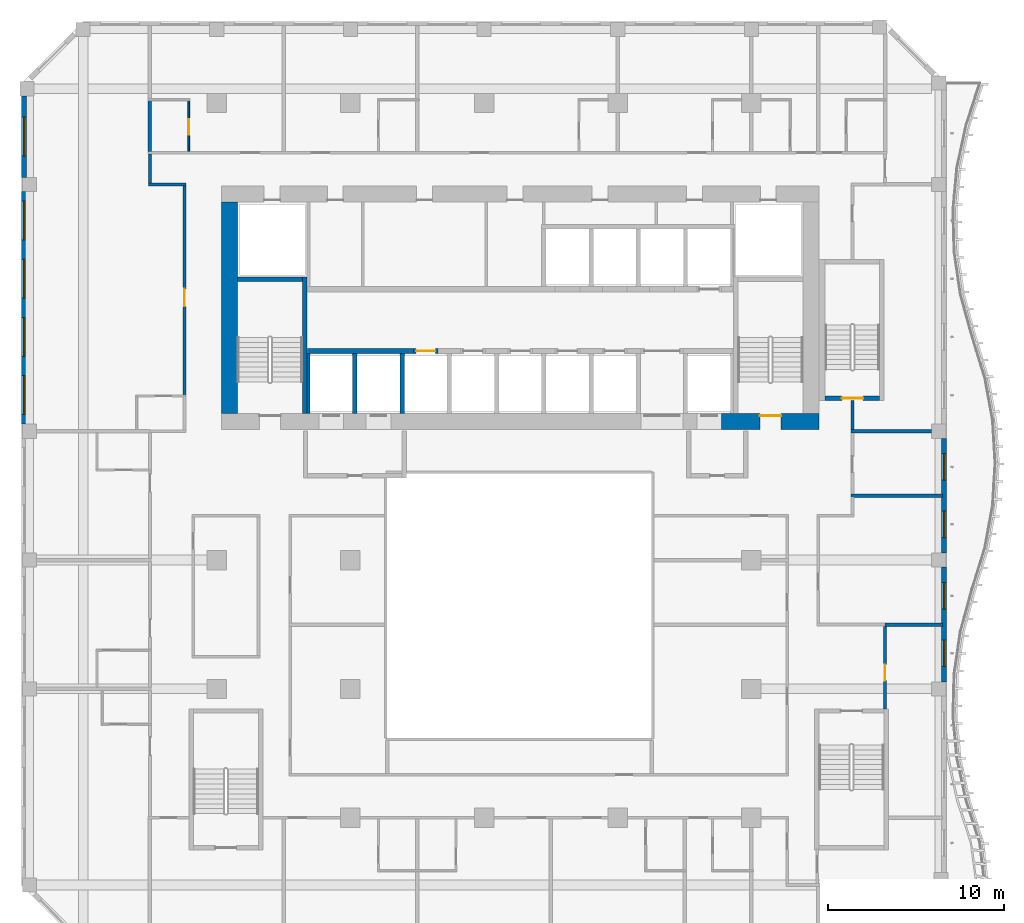
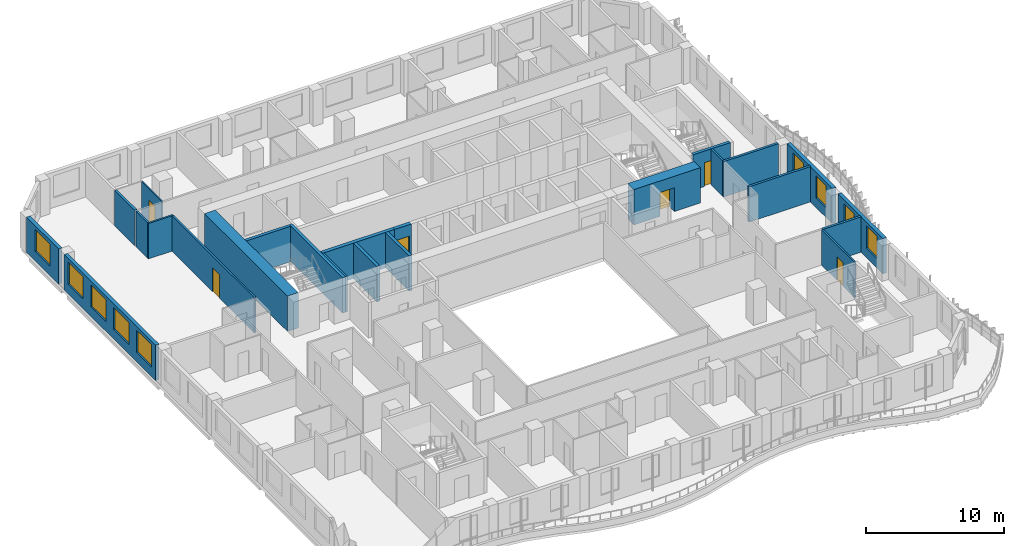
# One storey, part 6 of 22: 24 walls, 9 windows, 6 doors, 15 openings.
"""IFC4 building model written with IfcOpenShell, lengths in metres."""

from ifc_helpers import new_model, si_unit, direction, frame, frame_2d, origin, place, context, subcontext, project, spatial, rectangle, extrude, source, transform, mapped, material, layer, layer_set, type_object, element, fill, save


model = new_model("IFC4")

# Units and contexts
model_context = context("Model", 3, precision=1e-05, world=origin(), true_north=direction((0.0, 1.0)))
body_context = subcontext(model_context, "Body", "Model", "MODEL_VIEW")
ifc_project = project(units=[si_unit("LENGTHUNIT", "METRE"), si_unit("AREAUNIT", "SQUARE_METRE"), si_unit("VOLUMEUNIT", "CUBIC_METRE"), si_unit("PLANEANGLEUNIT", "RADIAN"), si_unit("MASSUNIT", "GRAM", prefix="KILO")], contexts=[model_context])

# Site, building, storey
site_placement = place(None, origin())
site = spatial("IfcSite", under=ifc_project, at=site_placement, CompositionType="ELEMENT")
building_placement = place(site_placement, origin())
building = spatial("IfcBuilding", under=site, at=building_placement, Name="Kilnfold Tower and Market Hall", CompositionType="ELEMENT")
storey_placement = place(building_placement, frame((0.0, 0.0, 154.10009765625)))
storey = spatial("IfcBuildingStorey", under=building, at=storey_placement, Name="L35", CompositionType="ELEMENT", Elevation=154.10009765625)

# Wall, opening, door
ifc_material_1 = material(Name="Gypsum board on steel studs", Category="steel")
ifc_layer_1 = layer(ifc_material_1, 0.14990234375)
ifc_layer_set_1 = layer_set([ifc_layer_1], Name="Gypsum board on steel studs")
wall_type_1 = type_object("IfcWallType", Name="WALL CORRIDOR 150", PredefinedType="PARTITIONING", material=ifc_layer_set_1)
wall_1_placement = place(storey_placement, frame((-18.0, 10.0400390625, 0.0), z_axis=(0.0, 0.0, 1.0), x_axis=(0.0, 1.0, 0.0)))
wall_1 = element("IfcWall", 1, at=wall_1_placement, inside=storey, type_object=wall_type_1, Name="Partition LY23.16", PredefinedType="PARTITIONING", context=body_context, shape_type="SweptSolid", body=[
    extrude(rectangle(XDim=11.885009765625, YDim=0.14990234375, at=frame_2d((5.9423828125, 0.0))), origin(), (0.0, 0.0, 1.0), 3.119873046875),
])
opening_1_placement = place(wall_1_placement, frame((5.0390625, 0.0, 0.0)))
opening_1 = element("IfcOpeningElement", 2, at=opening_1_placement, cuts=wall_1, Name="Opening D1", PredefinedType="OPENING", context=body_context, shape_type="SweptSolid", body=[
    extrude(rectangle(XDim=1.0, YDim=2.10009765625, at=frame_2d((0.5, 1.050048828125))), frame((0.0, 0.0849609375, 0.0), z_axis=(0.0, -1.0, 0.0), x_axis=(1.0, 0.0, 0.0)), (0.0, 0.0, 1.0), 0.169921875),
])
ifc_material_2 = material(Name="Timber veneer door leaf in steel frame", Category="steel")
door_type_1 = type_object("IfcDoorType", Name="DOOR ENTRY 1000 X2100", OperationType="NOTDEFINED", PredefinedType="DOOR", material=ifc_material_2)
door_1_placement = place(opening_1_placement, origin())
door_1 = element("IfcDoor", 3, at=door_1_placement, inside=storey, type_object=door_type_1, Name="Door D1", OperationType="SINGLE_SWING_LEFT", OverallHeight=2.10009765625, OverallWidth=1.0, PredefinedType="DOOR", context=body_context, shape_type="SweptSolid", body=[
    extrude(rectangle(XDim=1.0, YDim=2.10009765625, at=frame_2d((0.5, 1.050048828125))), frame((0.0, 0.02490234375, 0.0), z_axis=(0.0, -1.0, 0.0), x_axis=(1.0, 0.0, 0.0)), (0.0, 0.0, 1.0), 0.050048828125),
])
fill(opening_1, door_1)

# Walls
wall_2_placement = place(storey_placement, frame((-20.033935546875, 22.0, 0.0), z_axis=(0.0, 0.0, 1.0), x_axis=(1.0, 0.0, 0.0)))
element("IfcWall", 4, at=wall_2_placement, inside=storey, type_object=wall_type_1, Name="Partition LY23.17", PredefinedType="PARTITIONING", context=body_context, shape_type="SweptSolid", body=[
    extrude(rectangle(XDim=2.10888671875, YDim=0.14990234375, at=frame_2d((1.054443359375, 0.0))), origin(), (0.0, 0.0, 1.0), 3.119873046875),
])
wall_3_placement = place(storey_placement, frame((-19.958984375, 22.074951171875, 0.0), z_axis=(0.0, 0.0, 1.0), x_axis=(0.0, 1.0, 0.0)))
element("IfcWall", 5, at=wall_3_placement, inside=storey, type_object=wall_type_1, Name="Partition LY23.18", PredefinedType="PARTITIONING", context=body_context, shape_type="SweptSolid", body=[
    extrude(rectangle(XDim=1.650146484375, YDim=0.14990234375, at=frame_2d((0.8251953125, 0.0))), origin(), (0.0, 0.0, 1.0), 3.119873046875),
])
wall_4_placement = place(storey_placement, frame((19.89990234375, 8.090087890625, 0.0), z_axis=(0.0, 0.0, 1.0), x_axis=(0.0, 1.0, 0.0)))
element("IfcWall", 6, at=wall_4_placement, inside=storey, type_object=wall_type_1, Name="Partition LY23.26", PredefinedType="PARTITIONING", context=body_context, shape_type="SweptSolid", body=[
    extrude(rectangle(XDim=1.659912109375, YDim=0.14990234375, at=frame_2d((0.830078125, 0.0))), origin(), (0.0, 0.0, 1.0), 3.119873046875),
])

# Wall, opening, door
wall_5_placement = place(storey_placement, frame((21.75, -7.75, 0.0), z_axis=(0.0, 0.0, 1.0), x_axis=(0.0, 1.0, 0.0)))
wall_5 = element("IfcWall", 7, at=wall_5_placement, inside=storey, type_object=wall_type_1, Name="Partition LY23.31", PredefinedType="PARTITIONING", context=body_context, shape_type="SweptSolid", body=[
    extrude(rectangle(XDim=4.681884765625, YDim=0.14990234375, at=frame_2d((2.3408203125, 0.0))), origin(), (0.0, 0.0, 1.0), 3.119873046875),
])
opening_2_placement = place(wall_5_placement, frame((1.60205078125, 0.0, 0.0)))
opening_2 = element("IfcOpeningElement", 8, at=opening_2_placement, cuts=wall_5, Name="Opening D2", PredefinedType="OPENING", context=body_context, shape_type="SweptSolid", body=[
    extrude(rectangle(XDim=0.89990234375, YDim=2.10009765625, at=frame_2d((0.449951171875, 1.050048828125))), frame((0.0, 0.0849609375, 0.0), z_axis=(0.0, -1.0, 0.0), x_axis=(1.0, 0.0, 0.0)), (0.0, 0.0, 1.0), 0.169921875),
])
ifc_material_3 = material(Name="Timber veneer door leaf in steel frame", Category="steel")
door_type_2 = type_object("IfcDoorType", Name="DOOR ROOM 900 X2100", OperationType="NOTDEFINED", PredefinedType="DOOR", material=ifc_material_3)
door_2_placement = place(opening_2_placement, origin())
door_2 = element("IfcDoor", 9, at=door_2_placement, inside=storey, type_object=door_type_2, Name="Door D2", OperationType="SINGLE_SWING_LEFT", OverallHeight=2.10009765625, OverallWidth=0.89990234375, PredefinedType="DOOR", context=body_context, shape_type="SweptSolid", body=[
    extrude(rectangle(XDim=0.89990234375, YDim=2.10009765625, at=frame_2d((0.449951171875, 1.050048828125))), frame((0.0, 0.02490234375, 0.0), z_axis=(0.0, -1.0, 0.0), x_axis=(1.0, 0.0, 0.0)), (0.0, 0.0, 1.0), 0.050048828125),
])
fill(opening_2, door_2)

ifc_material_4 = material(Name="Gypsum board on steel studs", Category="steel")
ifc_layer_2 = layer(ifc_material_4, 0.10009765625)
ifc_layer_set_2 = layer_set([ifc_layer_2], Name="Gypsum board on steel studs")
wall_type_2 = type_object("IfcWallType", Name="WALL PARTITION 100", PredefinedType="PARTITIONING", material=ifc_layer_set_2)
wall_6_placement = place(storey_placement, frame((-17.759033203125, 26.751953125, 0.0), z_axis=(0.0, 0.0, 1.0), x_axis=(0.0, -1.0, 0.0)))
wall_6 = element("IfcWall", 10, at=wall_6_placement, inside=storey, type_object=wall_type_2, Name="Partition LY23.75", PredefinedType="PARTITIONING", context=body_context, shape_type="SweptSolid", body=[
    extrude(rectangle(XDim=2.875, YDim=0.10009765625, at=frame_2d((1.4375, 0.0))), origin(), (0.0, 0.0, 1.0), 3.119873046875),
])
opening_3_placement = place(wall_6_placement, frame((1.0400390625, 0.0, 0.0)))
opening_3 = element("IfcOpeningElement", 11, at=opening_3_placement, cuts=wall_6, Name="Opening D3", PredefinedType="OPENING", context=body_context, shape_type="SweptSolid", body=[
    extrude(rectangle(XDim=0.89990234375, YDim=2.10009765625, at=frame_2d((0.449951171875, 1.050048828125))), frame((0.0, 0.06005859375, 0.0), z_axis=(0.0, -1.0, 0.0), x_axis=(1.0, 0.0, 0.0)), (0.0, 0.0, 1.0), 0.1201171875),
])
ifc_material_5 = material(Name="Timber veneer door leaf in steel frame", Category="steel")
door_type_3 = type_object("IfcDoorType", Name="DOOR WC 900 X2100", OperationType="NOTDEFINED", PredefinedType="DOOR", material=ifc_material_5)
door_3_placement = place(opening_3_placement, origin())
door_3 = element("IfcDoor", 12, at=door_3_placement, inside=storey, type_object=door_type_3, Name="Door D3", OperationType="SINGLE_SWING_LEFT", OverallHeight=2.10009765625, OverallWidth=0.89990234375, PredefinedType="DOOR", context=body_context, shape_type="SweptSolid", body=[
    extrude(rectangle(XDim=0.89990234375, YDim=2.10009765625, at=frame_2d((0.449951171875, 1.050048828125))), frame((0.0, 0.02490234375, 0.0), z_axis=(0.0, -1.0, 0.0), x_axis=(1.0, 0.0, 0.0)), (0.0, 0.0, 1.0), 0.050048828125),
])
fill(opening_3, door_3)

# Walls
ifc_material_6 = material(Name="Gypsum board on steel studs", Category="steel")
ifc_layer_3 = layer(ifc_material_6, 0.199951171875)
ifc_layer_set_3 = layer_set([ifc_layer_3], Name="Gypsum board on steel studs")
wall_type_3 = type_object("IfcWallType", Name="WALL PARTY 200", PredefinedType="PARTITIONING", material=ifc_layer_set_3)
wall_7_placement = place(storey_placement, frame((-19.958984375, 23.876953125, 0.0), z_axis=(0.0, 0.0, 1.0), x_axis=(0.0, 1.0, 0.0)))
element("IfcWall", 13, at=wall_7_placement, inside=storey, type_object=wall_type_3, Name="Partition LY23.74", PredefinedType="PARTITIONING", context=body_context, shape_type="SweptSolid", body=[
    extrude(rectangle(XDim=2.885009765625, YDim=0.199951171875, at=frame_2d((1.4423828125, 0.0))), origin(), (0.0, 0.0, 1.0), 3.119873046875),
])
wall_8_placement = place(storey_placement, frame((19.826904296875, 8.0, 0.0), z_axis=(0.0, 0.0, 1.0), x_axis=(1.0, 0.0, 0.0)))
element("IfcWall", 14, at=wall_8_placement, inside=storey, type_object=wall_type_3, Name="Partition LY23.98", PredefinedType="PARTITIONING", context=body_context, shape_type="SweptSolid", body=[
    extrude(rectangle(XDim=4.572998046875, YDim=0.199951171875, at=frame_2d((2.28662109375, 0.0))), origin(), (0.0, 0.0, 1.0), 3.119873046875),
])
wall_9_placement = place(storey_placement, frame((19.826904296875, 4.343994140625, 0.0), z_axis=(0.0, 0.0, 1.0), x_axis=(1.0, 0.0, 0.0)))
element("IfcWall", 15, at=wall_9_placement, inside=storey, type_object=wall_type_3, Name="Partition LY23.99", PredefinedType="PARTITIONING", context=body_context, shape_type="SweptSolid", body=[
    extrude(rectangle(XDim=5.173095703125, YDim=0.199951171875, at=frame_2d((2.58642578125, 0.0))), origin(), (0.0, 0.0, 1.0), 3.119873046875),
])
wall_10_placement = place(storey_placement, frame((21.7509765625, -2.968017578125, 0.0), z_axis=(0.0, 0.0, 1.0), x_axis=(0.999999954829, -0.000300571071, 0.0)))
element("IfcWall", 16, at=wall_10_placement, inside=storey, type_object=wall_type_3, Name="Partition LY23.100", PredefinedType="PARTITIONING", context=body_context, shape_type="SweptSolid", body=[
    extrude(rectangle(XDim=3.2490234375, YDim=0.199951171875, at=frame_2d((1.62451171875, 0.0))), origin(), (0.0, 0.0, 1.0), 3.119873046875),
])

# Wall, opening, door
ifc_material_7 = material(Name="Concrete C70", Category="concrete")
ifc_layer_4 = layer(ifc_material_7, 0.89990234375)
ifc_layer_set_4 = layer_set([ifc_layer_4], Name="Concrete C70")
wall_type_4 = type_object("IfcWallType", Name="CORE WALL 900 C70", PredefinedType="SHEAR", material=ifc_layer_set_4)
shared_shape_1 = source(origin(), body_context, "Body", "SweptSolid", [
    extrude(rectangle(XDim=5.530029296875, YDim=0.89990234375, at=frame_2d((2.76513671875, 0.0))), origin(), (0.0, 0.0, 1.0), 3.119873046875),
])
wall_11_placement = place(storey_placement, frame((12.469970703125, 8.550048828125, 0.0), z_axis=(0.0, 0.0, 1.0), x_axis=(1.0, 0.0, 0.0)))
wall_11 = element("IfcWall", 17, at=wall_11_placement, inside=storey, type_object=wall_type_4, Name="Core outer wall south", PredefinedType="SHEAR", context=body_context, shape_type="MappedRepresentation", body=[
    mapped(shared_shape_1, transform((0.0, 0.0, 0.0))),
])
opening_4_placement = place(wall_11_placement, frame((2.179931640625, 0.0, 0.0)))
opening_4 = element("IfcOpeningElement", 18, at=opening_4_placement, cuts=wall_11, Name="Opening SD1", PredefinedType="OPENING", context=body_context, shape_type="SweptSolid", body=[
    extrude(rectangle(XDim=1.199951171875, YDim=2.10009765625, at=frame_2d((0.60009765625, 1.050048828125))), frame((0.0, 0.4599609375, 0.0), z_axis=(0.0, -1.0, 0.0), x_axis=(1.0, 0.0, 0.0)), (0.0, 0.0, 1.0), 0.919921875),
])
ifc_material_8 = material(Name="Steel door set with fire-resisting leaf", Category="steel")
door_type_4 = type_object("IfcDoorType", Name="STAIR FLOOR DOOR 1200X2100", OperationType="NOTDEFINED", PredefinedType="DOOR", material=ifc_material_8)
door_4_placement = place(opening_4_placement, origin())
door_4 = element("IfcDoor", 19, at=door_4_placement, inside=storey, type_object=door_type_4, Name="Exit stair ST2 door", OperationType="DOUBLE_DOOR_SINGLE_SWING", OverallHeight=2.10009765625, OverallWidth=1.199951171875, PredefinedType="DOOR", context=body_context, shape_type="SweptSolid", body=[
    extrude(rectangle(XDim=1.199951171875, YDim=2.10009765625, at=frame_2d((0.60009765625, 1.050048828125))), frame((0.0, 0.35498046875, 0.0), z_axis=(0.0, -1.0, 0.0), x_axis=(1.0, 0.0, 0.0)), (0.0, 0.0, 1.0), 0.050048828125),
])
fill(opening_4, door_4)

# Walls
shared_shape_2 = source(origin(), body_context, "Body", "SweptSolid", [
    extrude(rectangle(XDim=12.0, YDim=0.89990234375, at=frame_2d((6.0, 0.0))), origin(), (0.0, 0.0, 1.0), 3.119873046875),
])
wall_12_placement = place(storey_placement, frame((-15.449951171875, 9.0, 0.0), z_axis=(0.0, 0.0, 1.0), x_axis=(0.0, 1.0, 0.0)))
element("IfcWall", 20, at=wall_12_placement, inside=storey, type_object=wall_type_4, Name="Core outer wall west", PredefinedType="SHEAR", context=body_context, shape_type="MappedRepresentation", body=[
    mapped(shared_shape_2, transform((0.0, 0.0, 0.0))),
])
ifc_material_9 = material(Name="Concrete C70", Category="concrete")
ifc_layer_5 = layer(ifc_material_9, 0.25)
ifc_layer_set_5 = layer_set([ifc_layer_5], Name="Concrete C70")
wall_type_5 = type_object("IfcWallType", Name="CORE WALL 250 C70", PredefinedType="SHEAR", material=ifc_layer_set_5)
shared_shape_3 = source(origin(), body_context, "Body", "SweptSolid", [
    extrude(rectangle(XDim=7.75, YDim=0.25, at=frame_2d((3.875, 0.0))), origin(), (0.0, 0.0, 1.0), 3.119873046875),
])
wall_13_placement = place(storey_placement, frame((-11.175048828125, 9.0, 0.0), z_axis=(0.0, 0.0, 1.0), x_axis=(0.0, 1.0, 0.0)))
element("IfcWall", 21, at=wall_13_placement, inside=storey, type_object=wall_type_5, Name="Stair enclosure ST1", PredefinedType="SHEAR", context=body_context, shape_type="MappedRepresentation", body=[
    mapped(shared_shape_3, transform((0.0, 0.0, 0.0))),
])
shared_shape_4 = source(origin(), body_context, "Body", "SweptSolid", [
    extrude(rectangle(XDim=3.699951171875, YDim=0.25, at=frame_2d((1.85009765625, 0.0))), origin(), (0.0, 0.0, 1.0), 3.119873046875),
])
wall_14_placement = place(storey_placement, frame((-15.0, 16.625, 0.0), z_axis=(0.0, 0.0, 1.0), x_axis=(1.0, 0.0, 0.0)))
element("IfcWall", 22, at=wall_14_placement, inside=storey, type_object=wall_type_5, Name="Stair enclosure ST1", PredefinedType="SHEAR", context=body_context, shape_type="MappedRepresentation", body=[
    mapped(shared_shape_4, transform((0.0, 0.0, 0.0))),
])

# Wall, opening, door
shared_shape_5 = source(origin(), body_context, "Body", "SweptSolid", [
    extrude(rectangle(XDim=3.099853515625, YDim=0.25, at=frame_2d((1.5498046875, 0.0))), origin(), (0.0, 0.0, 1.0), 3.119873046875),
])
wall_15_placement = place(storey_placement, frame((18.35009765625, 9.875, 0.0), z_axis=(0.0, 0.0, 1.0), x_axis=(1.0, 0.0, 0.0)))
wall_15 = element("IfcWall", 23, at=wall_15_placement, inside=storey, type_object=wall_type_5, Name="Stair enclosure ST5", PredefinedType="SHEAR", context=body_context, shape_type="MappedRepresentation", body=[
    mapped(shared_shape_5, transform((0.0, 0.0, 0.0))),
])
opening_5_placement = place(wall_15_placement, frame((0.949951171875, 0.0, 0.0)))
opening_5 = element("IfcOpeningElement", 24, at=opening_5_placement, cuts=wall_15, Name="Opening SD1", PredefinedType="OPENING", context=body_context, shape_type="SweptSolid", body=[
    extrude(rectangle(XDim=1.199951171875, YDim=2.10009765625, at=frame_2d((0.60009765625, 1.050048828125))), frame((0.0, 0.135009765625, 0.0), z_axis=(0.0, -1.0, 0.0), x_axis=(1.0, 0.0, 0.0)), (0.0, 0.0, 1.0), 0.27001953125),
])
door_5_placement = place(opening_5_placement, origin())
door_5 = element("IfcDoor", 25, at=door_5_placement, inside=storey, type_object=door_type_4, Name="Exit stair ST5 door", OperationType="DOUBLE_DOOR_SINGLE_SWING", OverallHeight=2.10009765625, OverallWidth=1.199951171875, PredefinedType="DOOR", context=body_context, shape_type="SweptSolid", body=[
    extrude(rectangle(XDim=1.199951171875, YDim=2.10009765625, at=frame_2d((0.60009765625, 1.050048828125))), frame((0.0, 0.02490234375, 0.0), z_axis=(0.0, -1.0, 0.0), x_axis=(1.0, 0.0, 0.0)), (0.0, 0.0, 1.0), 0.050048828125),
])
fill(opening_5, door_5)

# Wall
ifc_material_10 = material(Name="Concrete C70", Category="concrete")
ifc_layer_6 = layer(ifc_material_10, 0.300048828125)
ifc_layer_set_6 = layer_set([ifc_layer_6], Name="Concrete C70")
wall_type_6 = type_object("IfcWallType", Name="CORE WALL 300 C70", PredefinedType="SHEAR", material=ifc_layer_set_6)
shared_shape_6 = source(origin(), body_context, "Body", "SweptSolid", [
    extrude(rectangle(XDim=6.0, YDim=0.300048828125, at=frame_2d((3.0, 0.0))), origin(), (0.0, 0.0, 1.0), 3.119873046875),
])
wall_16_placement = place(storey_placement, frame((-11.010009765625, 12.550048828125, 0.0), z_axis=(0.0, 0.0, 1.0), x_axis=(1.0, 0.0, 0.0)))
element("IfcWall", 26, at=wall_16_placement, inside=storey, type_object=wall_type_6, Name="Core spine wall", PredefinedType="SHEAR", context=body_context, shape_type="MappedRepresentation", body=[
    mapped(shared_shape_6, transform((0.0, 0.0, 0.0))),
])

# Wall, openings, windows
ifc_material_11 = material(Name="Precast concrete C50/60", Category="concrete")
ifc_layer_7 = layer(ifc_material_11, 0.300048828125)
ifc_layer_set_7 = layer_set([ifc_layer_7], Name="Precast concrete C50/60")
wall_type_7 = type_object("IfcWallType", Name="PRECAST WALL 300", PredefinedType="SOLIDWALL", material=ifc_layer_set_7)
shared_shape_7 = source(origin(), body_context, "Body", "SweptSolid", [
    extrude(rectangle(XDim=6.5126953125, YDim=0.300048828125, at=frame_2d((3.25634765625, 0.0))), origin(), (0.0, 0.0, 1.0), 3.119873046875),
])
wall_17_placement = place(storey_placement, frame((25.10009765625, -6.22509765625, 0.0), z_axis=(0.0, 0.0, 1.0), x_axis=(0.0, 1.0, 0.0)))
wall_17 = element("IfcWall", 27, at=wall_17_placement, inside=storey, type_object=wall_type_7, Name="External wall L35 E", PredefinedType="SOLIDWALL", context=body_context, shape_type="MappedRepresentation", body=[
    mapped(shared_shape_7, transform((0.0, 0.0, 0.0))),
])
opening_6_placement = place(wall_17_placement, frame((0.878173828125, 0.0, 0.85009765625)))
opening_6 = element("IfcOpeningElement", 28, at=opening_6_placement, cuts=wall_17, Name="Opening W4", PredefinedType="OPENING", context=body_context, shape_type="SweptSolid", body=[
    extrude(rectangle(XDim=1.5, YDim=1.949951171875, at=frame_2d((0.75, 0.97509765625))), frame((0.0, 0.16015625, 0.0), z_axis=(0.0, -1.0, 0.0), x_axis=(1.0, 0.0, 0.0)), (0.0, 0.0, 1.0), 0.320068359375),
])
opening_7_placement = place(wall_17_placement, frame((4.134521484375, 0.0, 0.85009765625)))
opening_7 = element("IfcOpeningElement", 29, at=opening_7_placement, cuts=wall_17, Name="Opening W4", PredefinedType="OPENING", context=body_context, shape_type="SweptSolid", body=[
    extrude(rectangle(XDim=1.5, YDim=1.949951171875, at=frame_2d((0.75, 0.97509765625))), frame((0.0, 0.16015625, 0.0), z_axis=(0.0, -1.0, 0.0), x_axis=(1.0, 0.0, 0.0)), (0.0, 0.0, 1.0), 0.320068359375),
])
ifc_material_12 = material(Name="Aluminium frame and double glazing", Category="aluminium")
window_type_1 = type_object("IfcWindowType", Name="WINDOW W4 1500X1950", PartitioningType="SINGLE_PANEL", PredefinedType="WINDOW", material=ifc_material_12)
window_1_placement = place(opening_6_placement, origin())
window_1 = element("IfcWindow", 30, at=window_1_placement, inside=storey, type_object=window_type_1, Name="Window W4 L35 E-1", OverallHeight=1.949951171875, OverallWidth=1.5, PartitioningType="SINGLE_PANEL", PredefinedType="WINDOW", context=body_context, shape_type="SweptSolid", body=[
    extrude(rectangle(XDim=1.5, YDim=1.949951171875, at=frame_2d((0.75, 0.97509765625))), frame((0.0, 0.030029296875, 0.0), z_axis=(0.0, -1.0, 0.0), x_axis=(1.0, 0.0, 0.0)), (0.0, 0.0, 1.0), 0.06005859375),
])
fill(opening_6, window_1)
window_2_placement = place(opening_7_placement, origin())
window_2 = element("IfcWindow", 31, at=window_2_placement, inside=storey, type_object=window_type_1, Name="Window W4 L35 E-2", OverallHeight=1.949951171875, OverallWidth=1.5, PartitioningType="SINGLE_PANEL", PredefinedType="WINDOW", context=body_context, shape_type="SweptSolid", body=[
    extrude(rectangle(XDim=1.5, YDim=1.949951171875, at=frame_2d((0.75, 0.97509765625))), frame((0.0, 0.030029296875, 0.0), z_axis=(0.0, -1.0, 0.0), x_axis=(1.0, 0.0, 0.0)), (0.0, 0.0, 1.0), 0.06005859375),
])
fill(opening_7, window_2)

wall_18_placement = place(storey_placement, frame((25.10009765625, 1.08740234375, 0.0), z_axis=(0.0, 0.0, 1.0), x_axis=(0.0, 1.0, 0.0)))
wall_18 = element("IfcWall", 32, at=wall_18_placement, inside=storey, type_object=wall_type_7, Name="External wall L35 E", PredefinedType="SOLIDWALL", context=body_context, shape_type="MappedRepresentation", body=[
    mapped(shared_shape_7, transform((0.0, 0.0, 0.0))),
])
opening_8_placement = place(wall_18_placement, frame((0.878173828125, 0.0, 0.85009765625)))
opening_8 = element("IfcOpeningElement", 33, at=opening_8_placement, cuts=wall_18, Name="Opening W4", PredefinedType="OPENING", context=body_context, shape_type="SweptSolid", body=[
    extrude(rectangle(XDim=1.5, YDim=1.949951171875, at=frame_2d((0.75, 0.97509765625))), frame((0.0, 0.16015625, 0.0), z_axis=(0.0, -1.0, 0.0), x_axis=(1.0, 0.0, 0.0)), (0.0, 0.0, 1.0), 0.320068359375),
])
opening_9_placement = place(wall_18_placement, frame((4.134521484375, 0.0, 0.85009765625)))
opening_9 = element("IfcOpeningElement", 34, at=opening_9_placement, cuts=wall_18, Name="Opening W4", PredefinedType="OPENING", context=body_context, shape_type="SweptSolid", body=[
    extrude(rectangle(XDim=1.5, YDim=1.949951171875, at=frame_2d((0.75, 0.97509765625))), frame((0.0, 0.16015625, 0.0), z_axis=(0.0, -1.0, 0.0), x_axis=(1.0, 0.0, 0.0)), (0.0, 0.0, 1.0), 0.320068359375),
])
window_3_placement = place(opening_8_placement, origin())
window_3 = element("IfcWindow", 35, at=window_3_placement, inside=storey, type_object=window_type_1, Name="Window W4 L35 E-1", OverallHeight=1.949951171875, OverallWidth=1.5, PartitioningType="SINGLE_PANEL", PredefinedType="WINDOW", context=body_context, shape_type="SweptSolid", body=[
    extrude(rectangle(XDim=1.5, YDim=1.949951171875, at=frame_2d((0.75, 0.97509765625))), frame((0.0, 0.030029296875, 0.0), z_axis=(0.0, -1.0, 0.0), x_axis=(1.0, 0.0, 0.0)), (0.0, 0.0, 1.0), 0.06005859375),
])
fill(opening_8, window_3)
window_4_placement = place(opening_9_placement, origin())
window_4 = element("IfcWindow", 36, at=window_4_placement, inside=storey, type_object=window_type_1, Name="Window W4 L35 E-2", OverallHeight=1.949951171875, OverallWidth=1.5, PartitioningType="SINGLE_PANEL", PredefinedType="WINDOW", context=body_context, shape_type="SweptSolid", body=[
    extrude(rectangle(XDim=1.5, YDim=1.949951171875, at=frame_2d((0.75, 0.97509765625))), frame((0.0, 0.030029296875, 0.0), z_axis=(0.0, -1.0, 0.0), x_axis=(1.0, 0.0, 0.0)), (0.0, 0.0, 1.0), 0.06005859375),
])
fill(opening_9, window_4)

shared_shape_8 = source(origin(), body_context, "Body", "SweptSolid", [
    extrude(rectangle(XDim=13.2001953125, YDim=0.300048828125, at=frame_2d((6.60009765625, 0.0))), origin(), (0.0, 0.0, 1.0), 3.119873046875),
])
wall_19_placement = place(storey_placement, frame((-27.10009765625, 21.60009765625, 0.0), z_axis=(0.0, 0.0, 1.0), x_axis=(0.0, -1.0, 0.0)))
wall_19 = element("IfcWall", 37, at=wall_19_placement, inside=storey, type_object=wall_type_7, Name="External wall L35 W", PredefinedType="SOLIDWALL", context=body_context, shape_type="MappedRepresentation", body=[
    mapped(shared_shape_8, transform((0.0, 0.0, 0.0))),
])
opening_10_placement = place(wall_19_placement, frame((0.550048828125, 0.0, 0.85009765625)))
opening_10 = element("IfcOpeningElement", 38, at=opening_10_placement, cuts=wall_19, Name="Opening W2", PredefinedType="OPENING", context=body_context, shape_type="SweptSolid", body=[
    extrude(rectangle(XDim=2.199951171875, YDim=1.949951171875, at=frame_2d((1.10009765625, 0.97509765625))), frame((0.0, 0.16015625, 0.0), z_axis=(0.0, -1.0, 0.0), x_axis=(1.0, 0.0, 0.0)), (0.0, 0.0, 1.0), 0.320068359375),
])
opening_11_placement = place(wall_19_placement, frame((3.85009765625, 0.0, 0.85009765625)))
opening_11 = element("IfcOpeningElement", 39, at=opening_11_placement, cuts=wall_19, Name="Opening W2", PredefinedType="OPENING", context=body_context, shape_type="SweptSolid", body=[
    extrude(rectangle(XDim=2.199951171875, YDim=1.949951171875, at=frame_2d((1.10009765625, 0.97509765625))), frame((0.0, 0.16015625, 0.0), z_axis=(0.0, -1.0, 0.0), x_axis=(1.0, 0.0, 0.0)), (0.0, 0.0, 1.0), 0.320068359375),
])
opening_12_placement = place(wall_19_placement, frame((7.14990234375, 0.0, 0.85009765625)))
opening_12 = element("IfcOpeningElement", 40, at=opening_12_placement, cuts=wall_19, Name="Opening W2", PredefinedType="OPENING", context=body_context, shape_type="SweptSolid", body=[
    extrude(rectangle(XDim=2.199951171875, YDim=1.949951171875, at=frame_2d((1.10009765625, 0.97509765625))), frame((0.0, 0.16015625, 0.0), z_axis=(0.0, -1.0, 0.0), x_axis=(1.0, 0.0, 0.0)), (0.0, 0.0, 1.0), 0.320068359375),
])
opening_13_placement = place(wall_19_placement, frame((10.449951171875, 0.0, 0.85009765625)))
opening_13 = element("IfcOpeningElement", 41, at=opening_13_placement, cuts=wall_19, Name="Opening W2", PredefinedType="OPENING", context=body_context, shape_type="SweptSolid", body=[
    extrude(rectangle(XDim=2.199951171875, YDim=1.949951171875, at=frame_2d((1.10009765625, 0.97509765625))), frame((0.0, 0.16015625, 0.0), z_axis=(0.0, -1.0, 0.0), x_axis=(1.0, 0.0, 0.0)), (0.0, 0.0, 1.0), 0.320068359375),
])
ifc_material_13 = material(Name="Aluminium frame and double glazing", Category="aluminium")
window_type_2 = type_object("IfcWindowType", Name="WINDOW W2 2200X1950", PartitioningType="SINGLE_PANEL", PredefinedType="WINDOW", material=ifc_material_13)
window_5_placement = place(opening_10_placement, origin())
window_5 = element("IfcWindow", 42, at=window_5_placement, inside=storey, type_object=window_type_2, Name="Window W2 L35 W-1", OverallHeight=1.949951171875, OverallWidth=2.199951171875, PartitioningType="SINGLE_PANEL", PredefinedType="WINDOW", context=body_context, shape_type="SweptSolid", body=[
    extrude(rectangle(XDim=2.199951171875, YDim=1.949951171875, at=frame_2d((1.10009765625, 0.97509765625))), frame((0.0, 0.030029296875, 0.0), z_axis=(0.0, -1.0, 0.0), x_axis=(1.0, 0.0, 0.0)), (0.0, 0.0, 1.0), 0.06005859375),
])
fill(opening_10, window_5)
window_6_placement = place(opening_11_placement, origin())
window_6 = element("IfcWindow", 43, at=window_6_placement, inside=storey, type_object=window_type_2, Name="Window W2 L35 W-2", OverallHeight=1.949951171875, OverallWidth=2.199951171875, PartitioningType="SINGLE_PANEL", PredefinedType="WINDOW", context=body_context, shape_type="SweptSolid", body=[
    extrude(rectangle(XDim=2.199951171875, YDim=1.949951171875, at=frame_2d((1.10009765625, 0.97509765625))), frame((0.0, 0.030029296875, 0.0), z_axis=(0.0, -1.0, 0.0), x_axis=(1.0, 0.0, 0.0)), (0.0, 0.0, 1.0), 0.06005859375),
])
fill(opening_11, window_6)
window_7_placement = place(opening_12_placement, origin())
window_7 = element("IfcWindow", 44, at=window_7_placement, inside=storey, type_object=window_type_2, Name="Window W2 L35 W-3", OverallHeight=1.949951171875, OverallWidth=2.199951171875, PartitioningType="SINGLE_PANEL", PredefinedType="WINDOW", context=body_context, shape_type="SweptSolid", body=[
    extrude(rectangle(XDim=2.199951171875, YDim=1.949951171875, at=frame_2d((1.10009765625, 0.97509765625))), frame((0.0, 0.030029296875, 0.0), z_axis=(0.0, -1.0, 0.0), x_axis=(1.0, 0.0, 0.0)), (0.0, 0.0, 1.0), 0.06005859375),
])
fill(opening_12, window_7)
window_8_placement = place(opening_13_placement, origin())
window_8 = element("IfcWindow", 45, at=window_8_placement, inside=storey, type_object=window_type_2, Name="Window W2 L35 W-4", OverallHeight=1.949951171875, OverallWidth=2.199951171875, PartitioningType="SINGLE_PANEL", PredefinedType="WINDOW", context=body_context, shape_type="SweptSolid", body=[
    extrude(rectangle(XDim=2.199951171875, YDim=1.949951171875, at=frame_2d((1.10009765625, 0.97509765625))), frame((0.0, 0.030029296875, 0.0), z_axis=(0.0, -1.0, 0.0), x_axis=(1.0, 0.0, 0.0)), (0.0, 0.0, 1.0), 0.06005859375),
])
fill(opening_13, window_8)

# Wall, opening, window
shared_shape_9 = source(origin(), body_context, "Body", "SweptSolid", [
    extrude(rectangle(XDim=4.6318359375, YDim=0.300048828125, at=frame_2d((2.31591796875, 0.0))), origin(), (0.0, 0.0, 1.0), 3.119873046875),
])
wall_20_placement = place(storey_placement, frame((-27.10009765625, 27.03173828125, 0.0), z_axis=(0.0, 0.0, 1.0), x_axis=(0.0, -1.0, 0.0)))
wall_20 = element("IfcWall", 46, at=wall_20_placement, inside=storey, type_object=wall_type_7, Name="External wall L35 W", PredefinedType="SOLIDWALL", context=body_context, shape_type="MappedRepresentation", body=[
    mapped(shared_shape_9, transform((0.0, 0.0, 0.0))),
])
opening_14_placement = place(wall_20_placement, frame((1.2158203125, 0.0, 0.85009765625)))
opening_14 = element("IfcOpeningElement", 47, at=opening_14_placement, cuts=wall_20, Name="Opening W2", PredefinedType="OPENING", context=body_context, shape_type="SweptSolid", body=[
    extrude(rectangle(XDim=2.199951171875, YDim=1.949951171875, at=frame_2d((1.10009765625, 0.97509765625))), frame((0.0, 0.16015625, 0.0), z_axis=(0.0, -1.0, 0.0), x_axis=(1.0, 0.0, 0.0)), (0.0, 0.0, 1.0), 0.320068359375),
])
window_9_placement = place(opening_14_placement, origin())
window_9 = element("IfcWindow", 48, at=window_9_placement, inside=storey, type_object=window_type_2, Name="Window W2 L35 W-1", OverallHeight=1.949951171875, OverallWidth=2.199951171875, PartitioningType="SINGLE_PANEL", PredefinedType="WINDOW", context=body_context, shape_type="SweptSolid", body=[
    extrude(rectangle(XDim=2.199951171875, YDim=1.949951171875, at=frame_2d((1.10009765625, 0.97509765625))), frame((0.0, 0.030029296875, 0.0), z_axis=(0.0, -1.0, 0.0), x_axis=(1.0, 0.0, 0.0)), (0.0, 0.0, 1.0), 0.06005859375),
])
fill(opening_14, window_9)

# Wall, opening, door
ifc_material_14 = material(Name="Gypsum shaft wall system")
ifc_layer_8 = layer(ifc_material_14, 0.300048828125)
ifc_layer_set_8 = layer_set([ifc_layer_8], Name="Gypsum shaft wall system")
wall_type_8 = type_object("IfcWallType", Name="SHAFT WALL 300", PredefinedType="PARTITIONING", material=ifc_layer_set_8)
shared_shape_10 = source(origin(), body_context, "Body", "SweptSolid", [
    extrude(rectangle(XDim=1.39990234375, YDim=0.300048828125, at=frame_2d((0.699951171875, 0.0))), origin(), (0.0, 0.0, 1.0), 3.119873046875),
])
wall_21_placement = place(storey_placement, frame((-5.010009765625, 12.550048828125, 0.0), z_axis=(0.0, 0.0, 1.0), x_axis=(1.0, 0.0, 0.0)))
wall_21 = element("IfcWall", 49, at=wall_21_placement, inside=storey, type_object=wall_type_8, Name="Lift shaft front wall", PredefinedType="PARTITIONING", context=body_context, shape_type="MappedRepresentation", body=[
    mapped(shared_shape_10, transform((0.0, 0.0, 0.0))),
])
opening_15_placement = place(wall_21_placement, frame((0.14990234375, 0.0, 0.0)))
opening_15 = element("IfcOpeningElement", 50, at=opening_15_placement, cuts=wall_21, Name="Opening LD2", PredefinedType="OPENING", context=body_context, shape_type="SweptSolid", body=[
    extrude(rectangle(XDim=1.10009765625, YDim=2.10009765625, at=frame_2d((0.550048828125, 1.050048828125))), frame((0.0, 0.16015625, 0.0), z_axis=(0.0, -1.0, 0.0), x_axis=(1.0, 0.0, 0.0)), (0.0, 0.0, 1.0), 0.320068359375),
])
ifc_material_15 = material(Name="Steel door set with fire-resisting leaf", Category="steel")
door_type_5 = type_object("IfcDoorType", Name="LANDING DOOR 1100X2100", OperationType="NOTDEFINED", PredefinedType="DOOR", material=ifc_material_15)
door_6_placement = place(opening_15_placement, origin())
door_6 = element("IfcDoor", 51, at=door_6_placement, inside=storey, type_object=door_type_5, Name="Landing door MR1", OperationType="DOUBLE_DOOR_SLIDING", OverallHeight=2.10009765625, OverallWidth=1.10009765625, PredefinedType="DOOR", context=body_context, shape_type="SweptSolid", body=[
    extrude(rectangle(XDim=1.10009765625, YDim=2.10009765625, at=frame_2d((0.550048828125, 1.050048828125))), frame((0.0, 0.02490234375, 0.0), z_axis=(0.0, -1.0, 0.0), x_axis=(1.0, 0.0, 0.0)), (0.0, 0.0, 1.0), 0.050048828125),
])
fill(opening_15, door_6)

# Walls
ifc_material_16 = material(Name="Gypsum shaft wall system")
ifc_layer_9 = layer(ifc_material_16, 0.25)
ifc_layer_set_9 = layer_set([ifc_layer_9], Name="Gypsum shaft wall system")
wall_type_9 = type_object("IfcWallType", Name="SHAFT WALL 250", PredefinedType="PARTITIONING", material=ifc_layer_set_9)
shared_shape_11 = source(origin(), body_context, "Body", "SweptSolid", [
    extrude(rectangle(XDim=3.39990234375, YDim=0.25, at=frame_2d((1.699951171875, 0.0))), origin(), (0.0, 0.0, 1.0), 3.119873046875),
])
for number, where, z_axis, x_axis, name in (
    (52, (-5.64990234375, 9.0, 0.0), (0.0, 0.0, 1.0), (0.0, 1.0, 0.0), "Lift shaft wall"),
    (53, (-8.330078125, 9.0, 0.0), (0.0, 0.0, 1.0), (0.0, 1.0, 0.0), "Lift shaft wall"),
):
    element("IfcWall", number, at=place(storey_placement, frame(where, z_axis=z_axis, x_axis=x_axis)), inside=storey, type_object=wall_type_9, Name=name, PredefinedType="PARTITIONING", context=body_context, shape_type="MappedRepresentation", body=[
        mapped(shared_shape_11, transform((0.0, 0.0, 0.0))),
    ])
ifc_material_17 = material(Name="Gypsum shaft wall system")
ifc_layer_10 = layer(ifc_material_17, 0.1650390625)
ifc_layer_set_10 = layer_set([ifc_layer_10], Name="Gypsum shaft wall system")
wall_type_10 = type_object("IfcWallType", Name="SHAFT WALL 165", PredefinedType="PARTITIONING", material=ifc_layer_set_10)
shared_shape_12 = source(origin(), body_context, "Body", "SweptSolid", [
    extrude(rectangle(XDim=3.39990234375, YDim=0.1650390625, at=frame_2d((1.699951171875, 0.0))), origin(), (0.0, 0.0, 1.0), 3.119873046875),
])
wall_22_placement = place(storey_placement, frame((-10.967529296875, 9.0, 0.0), z_axis=(0.0, 0.0, 1.0), x_axis=(0.0, 1.0, 0.0)))
element("IfcWall", 54, at=wall_22_placement, inside=storey, type_object=wall_type_10, Name="Lift shaft wall", PredefinedType="PARTITIONING", context=body_context, shape_type="MappedRepresentation", body=[
    mapped(shared_shape_12, transform((0.0, 0.0, 0.0))),
])

save(model, "model.ifc")
